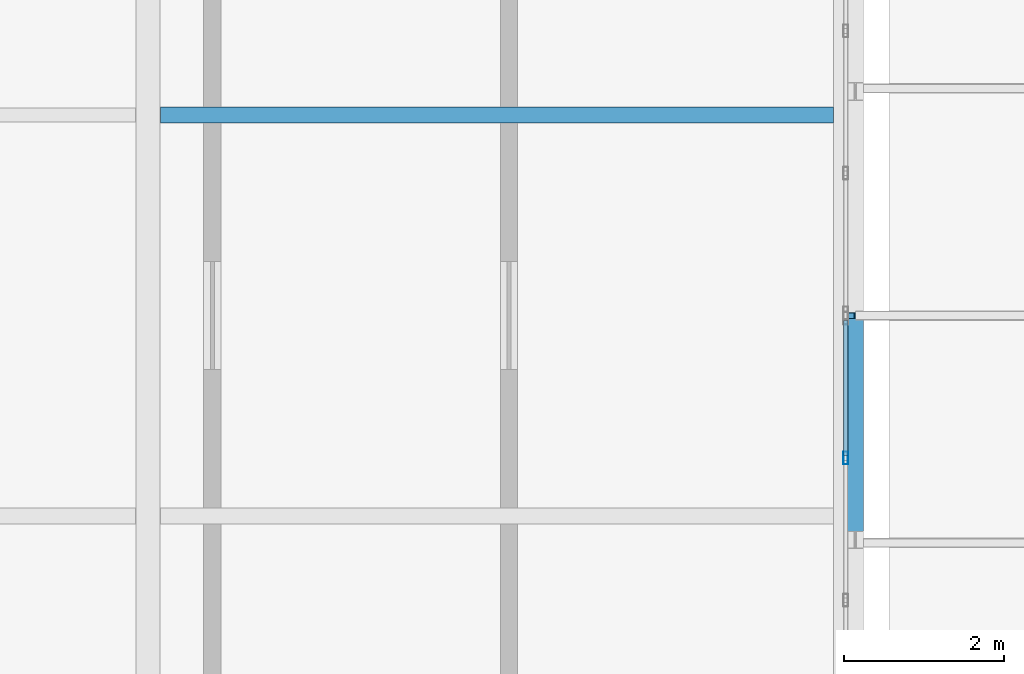
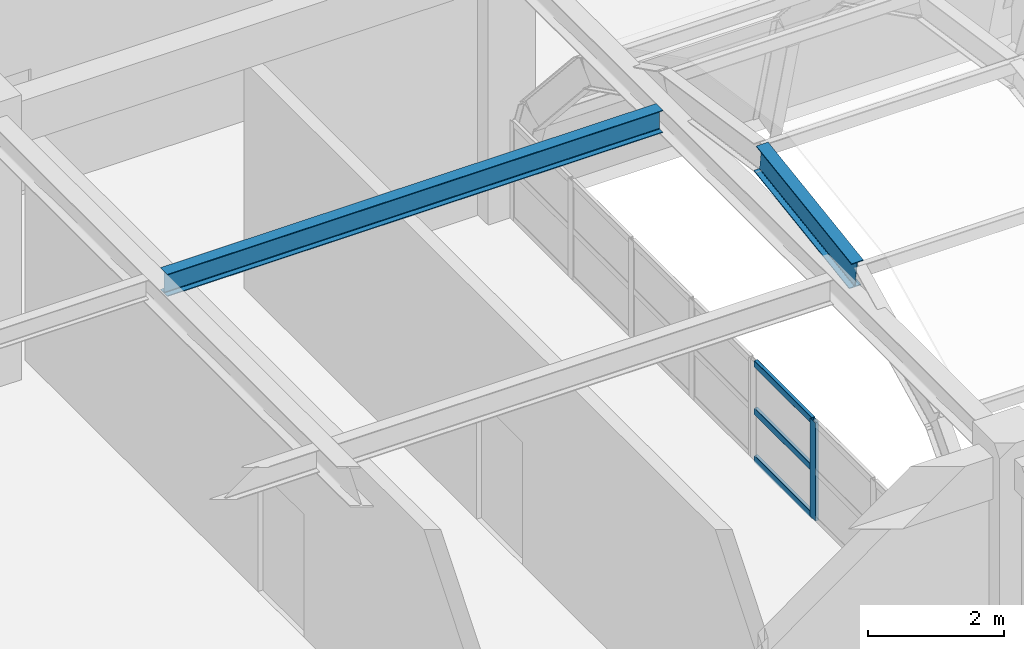
# One storey, part 41 of 124: 4 members, 2 beams, 1 element without a shape of its own.
"""IFC4 building model written with IfcOpenShell, lengths in metres."""

from ifc_helpers import new_model, si_unit, derived_unit, direction, frame, origin, origin_2d, place, context, subcontext, project, spatial, hollow_rectangle, i_section, extrude, material, layer, layer_set, material_profile, profile_set, type_object, element, aggregate, save


model = new_model("IFC4")

# Units and contexts
model_context = context("Model", 3, precision=1e-05, world=origin(), true_north=direction((0.0, 1.0)))
body_context = subcontext(model_context, "Body", "Model", "MODEL_VIEW")
ifc_project = project(units=[si_unit("LENGTHUNIT", "METRE"), si_unit("AREAUNIT", "SQUARE_METRE"), si_unit("VOLUMEUNIT", "CUBIC_METRE"), si_unit("PLANEANGLEUNIT", "RADIAN"), si_unit("MASSUNIT", "GRAM", prefix="KILO"), derived_unit("THERMALTRANSMITTANCEUNIT", [(si_unit("MASSUNIT", "GRAM", prefix="KILO"), 1), (si_unit("TIMEUNIT", "SECOND"), -3), (si_unit("THERMODYNAMICTEMPERATUREUNIT", "KELVIN"), -1)])], contexts=[model_context])

# Site, building, storey
site_placement = place(None, origin())
site = spatial("IfcSite", under=ifc_project, at=site_placement, CompositionType="ELEMENT")
building_placement = place(site_placement, origin())
building = spatial("IfcBuilding", under=site, at=building_placement, Name="Qinzheling Arcade Emporium", CompositionType="ELEMENT")
storey_placement = place(building_placement, frame((0.0, 0.0, 16.5)))
storey = spatial("IfcBuildingStorey", under=building, at=storey_placement, Name="L04", CompositionType="ELEMENT", Elevation=16.5)

# Beam
ifc_material_1 = material(Name="Weathering steel Q355NH", Category="steel")
ifc_material_profile_1 = material_profile(ifc_material_1, i_section(OverallWidth=0.199951171875, OverallDepth=0.5, WebThickness=0.010009765625, FlangeThickness=0.01611328125, FilletRadius=0.01806640625, at=origin_2d()), Name="HN 500x200x10x16", Category="steel")
ifc_profile_set_1 = profile_set([ifc_material_profile_1], Name="Weathering steel Q355NH")
beam_type_1 = type_object("IfcBeamType", Name="Arcade End Arch Rib HN500 Q355NH", PredefinedType="BEAM", material=ifc_profile_set_1)
beam_1_placement = place(storey_placement, frame((104.52001953125, 55.10498046875, 4.93603515625), z_axis=(0.0, 0.989203462354, 0.146548661089), x_axis=(-1.0, 0.0, 0.0)))
element("IfcBeam", 1, at=beam_1_placement, inside=storey, type_object=beam_type_1, Name="Arcade Arch Rib VLT-ARCADE-RIB-01-S04", PredefinedType="BEAM", context=body_context, shape_type="SweptSolid", body=[
    extrude(i_section(OverallWidth=0.199951171875, OverallDepth=0.5, WebThickness=0.010009765625, FlangeThickness=0.01611328125, FilletRadius=0.01806640625, at=origin_2d()), origin(), (0.0, 0.0, 1.0), 2.825439453125),
])

# Curtain wall, members
ifc_material_2 = material(Name="Anodised aluminium and solar-control double glazing", Category="aluminium")
ifc_layer = layer(ifc_material_2, 0.159912109375, Name="Anodised aluminium and solar-control double glazing", Category="aluminium")
ifc_layer_set = layer_set([ifc_layer], Name="Anodised aluminium and solar-control double glazing")
curtain_wall_type = type_object("IfcCurtainWallType", Name="Atrium Clerestory Curtain Wall", PredefinedType="NOTDEFINED", material=ifc_layer_set)
curtain_wall_placement = place(storey_placement, origin())
curtain_wall = element("IfcCurtainWall", 2, at=curtain_wall_placement, inside=storey, type_object=curtain_wall_type, Name="Curtain Wall CW-L04-252", PredefinedType="NOTDEFINED")
ifc_material_3 = material(Name="Anodised aluminium 6063-T6", Category="aluminium")
ifc_material_profile_2 = material_profile(ifc_material_3, hollow_rectangle(XDim=0.06005859375, YDim=0.159912109375, WallThickness=0.00390625, InnerFilletRadius=0.00390625, OuterFilletRadius=0.008056640625, at=origin_2d()), Name="RHS 160x60x4", Category="aluminium")
ifc_profile_set_2 = profile_set([ifc_material_profile_2], Name="Anodised aluminium 6063-T6")
member_type_1 = type_object("IfcMemberType", Name="Curtain Wall Mullion RHS160x60", PredefinedType="MULLION", material=ifc_profile_set_2)
member_1_placement = place(storey_placement, frame((104.39990234375, 56.1240234375, 0.0), z_axis=(0.0, 0.0, 1.0), x_axis=(1.0, 0.0, 0.0)))
member_1 = element("IfcMember", 3, at=member_1_placement, type_object=member_type_1, Name="CW03 mullion 2", PredefinedType="MULLION", context=body_context, shape_type="SweptSolid", body=[
    extrude(hollow_rectangle(XDim=0.06005859375, YDim=0.159912109375, WallThickness=0.00390625, InnerFilletRadius=0.00390625, OuterFilletRadius=0.008056640625, at=origin_2d()), origin(), (0.0, 0.0, 1.0), 1.759033203125),
])
ifc_material_profile_3 = material_profile(ifc_material_3, hollow_rectangle(XDim=0.06005859375, YDim=0.1201171875, WallThickness=0.00390625, InnerFilletRadius=0.00390625, OuterFilletRadius=0.008056640625, at=origin_2d()), Name="RHS 120x60x4", Category="aluminium")
ifc_profile_set_3 = profile_set([ifc_material_profile_3], Name="Anodised aluminium 6063-T6")
member_type_2 = type_object("IfcMemberType", Name="Curtain Wall Transom RHS120x60", PredefinedType="USERDEFINED", material=ifc_profile_set_3)
member_2_placement = place(storey_placement, frame((104.39990234375, 57.837890625, 0.030029296875), z_axis=(0.0, -1.0, 0.0), x_axis=(1.0, 0.0, 0.0)))
member_2 = element("IfcMember", 4, at=member_2_placement, type_object=member_type_2, Name="CW03 transom 1.1", ObjectType="TRANSOM", PredefinedType="USERDEFINED", context=body_context, shape_type="SweptSolid", body=[
    extrude(hollow_rectangle(XDim=0.06005859375, YDim=0.1201171875, WallThickness=0.00390625, InnerFilletRadius=0.00390625, OuterFilletRadius=0.008056640625, at=origin_2d()), origin(), (0.0, 0.0, 1.0), 1.683837890625),
])
member_3_placement = place(storey_placement, frame((104.39990234375, 57.837890625, 0.8798828125), z_axis=(0.0, -1.0, 0.0), x_axis=(1.0, 0.0, 0.0)))
member_3 = element("IfcMember", 5, at=member_3_placement, type_object=member_type_2, Name="CW03 transom 1.2", ObjectType="TRANSOM", PredefinedType="USERDEFINED", context=body_context, shape_type="SweptSolid", body=[
    extrude(hollow_rectangle(XDim=0.06005859375, YDim=0.1201171875, WallThickness=0.00390625, InnerFilletRadius=0.00390625, OuterFilletRadius=0.008056640625, at=origin_2d()), origin(), (0.0, 0.0, 1.0), 1.683837890625),
])
member_4_placement = place(storey_placement, frame((104.39990234375, 57.837890625, 1.72900390625), z_axis=(0.0, -1.0, 0.0), x_axis=(1.0, 0.0, 0.0)))
member_4 = element("IfcMember", 6, at=member_4_placement, type_object=member_type_2, Name="CW03 transom 1.3", ObjectType="TRANSOM", PredefinedType="USERDEFINED", context=body_context, shape_type="SweptSolid", body=[
    extrude(hollow_rectangle(XDim=0.06005859375, YDim=0.1201171875, WallThickness=0.00390625, InnerFilletRadius=0.00390625, OuterFilletRadius=0.008056640625, at=origin_2d()), origin(), (0.0, 0.0, 1.0), 1.683837890625),
])
aggregate(curtain_wall, [member_1, member_2, member_3, member_4])

# Beam
ifc_material_4 = material(Name="Structural steel Q355B", Category="steel")
ifc_material_profile_4 = material_profile(ifc_material_4, i_section(OverallWidth=0.199951171875, OverallDepth=0.39990234375, WebThickness=0.008056640625, FlangeThickness=0.012939453125, FilletRadius=0.01611328125, at=origin_2d()), Name="HN 400x200x8x13", Category="steel")
ifc_profile_set_4 = profile_set([ifc_material_profile_4], Name="Structural steel Q355B")
beam_type_2 = type_object("IfcBeamType", Name="Storm Eave Outlooker Joist HN400 Q355B", PredefinedType="JOIST", material=ifc_profile_set_4)
beam_2_placement = place(storey_placement, frame((95.85498046875, 60.39990234375, 4.6201171875), z_axis=(1.0, 0.0, 0.0), x_axis=(0.0, 1.0, 0.0)))
element("IfcBeam", 7, at=beam_2_placement, inside=storey, type_object=beam_type_2, Name="Secondary Joist JST-L04-12-2", PredefinedType="JOIST", context=body_context, shape_type="SweptSolid", body=[
    extrude(i_section(OverallWidth=0.199951171875, OverallDepth=0.39990234375, WebThickness=0.008056640625, FlangeThickness=0.012939453125, FilletRadius=0.01611328125, at=origin_2d()), origin(), (0.0, 0.0, 1.0), 8.39013671875),
])

save(model, "model.ifc")
